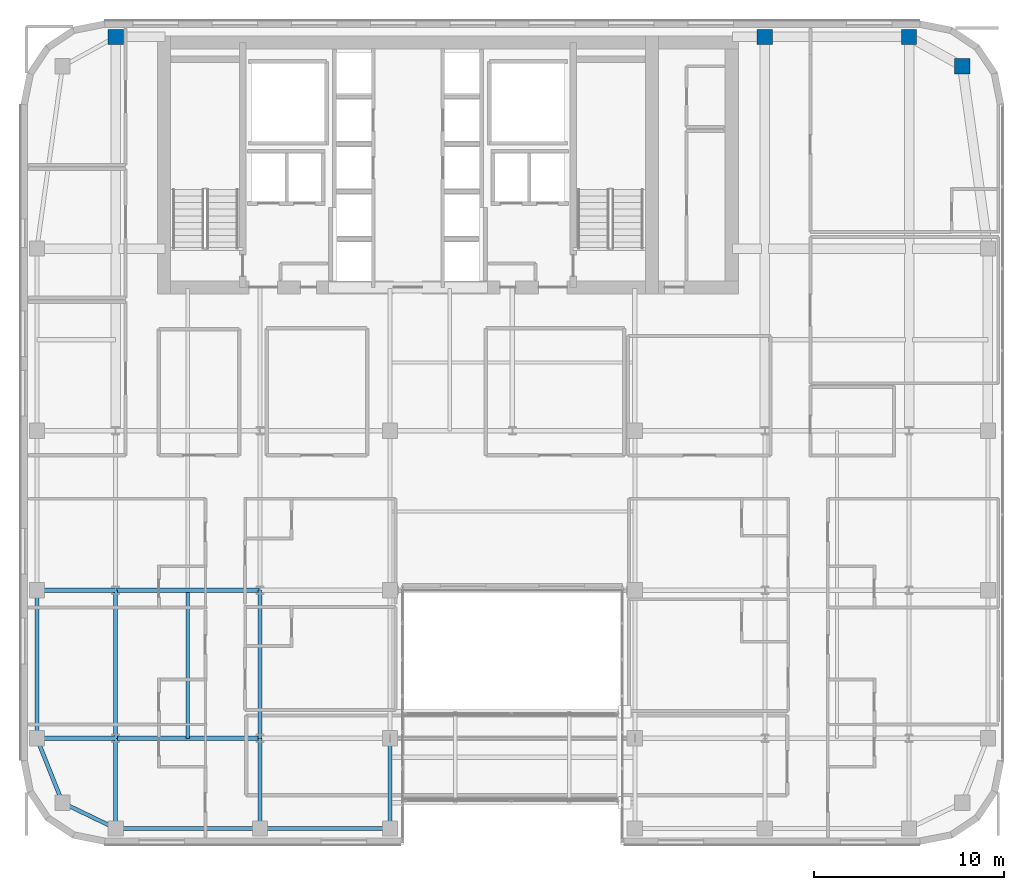
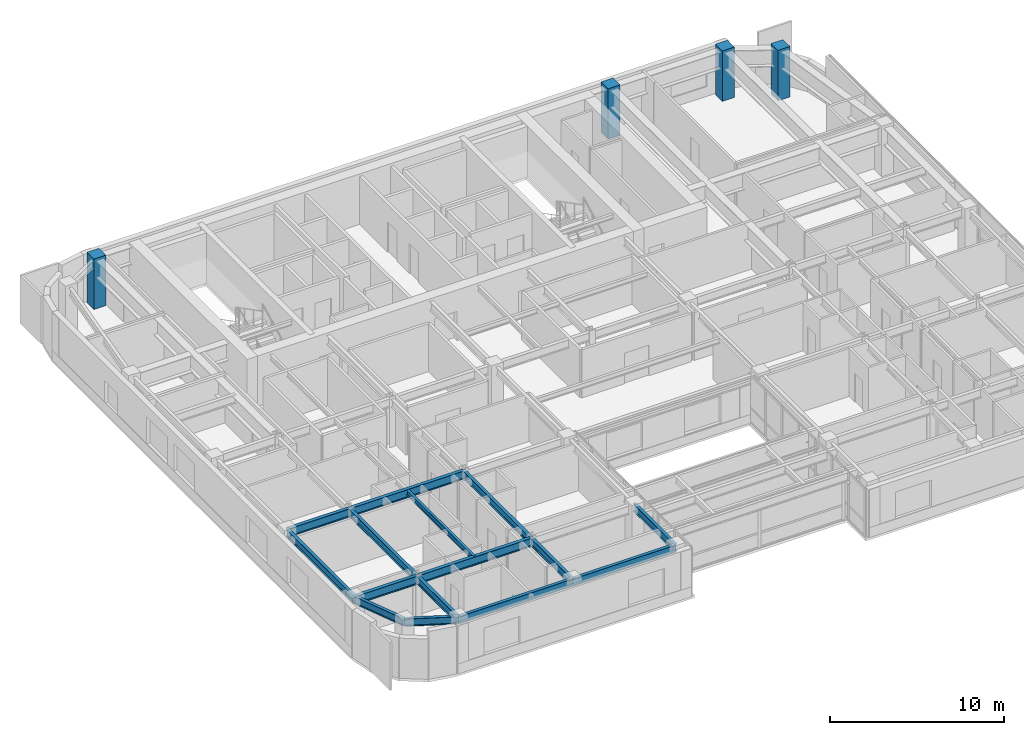
# One storey, part 2 of 26: 15 beams, 4 columns.
"""IFC4 building model written with IfcOpenShell, lengths in metres."""

from ifc_helpers import new_model, si_unit, direction, frame, origin, origin_2d, place, context, subcontext, project, spatial, rectangle, i_section, extrude, source, transform, mapped, material, material_profile, profile_set, type_object, type_shapes, element, save


model = new_model("IFC4")

# Units and contexts
model_context = context("Model", 3, precision=1e-05, world=origin(), true_north=direction((0.0, 1.0)))
body_context = subcontext(model_context, "Body", "Model", "MODEL_VIEW")
ifc_project = project(units=[si_unit("LENGTHUNIT", "METRE"), si_unit("AREAUNIT", "SQUARE_METRE"), si_unit("VOLUMEUNIT", "CUBIC_METRE"), si_unit("PLANEANGLEUNIT", "RADIAN"), si_unit("MASSUNIT", "GRAM", prefix="KILO")], contexts=[model_context])

# Site, building, storey
site_placement = place(None, origin())
site = spatial("IfcSite", under=ifc_project, at=site_placement, CompositionType="ELEMENT")
building_placement = place(site_placement, origin())
building = spatial("IfcBuilding", under=site, at=building_placement, Name="Tolvann Quenvar Hotel", CompositionType="ELEMENT")
storey_placement = place(building_placement, frame((0.0, 0.0, 168.35009765625)))
storey = spatial("IfcBuildingStorey", under=building, at=storey_placement, Name="L44", CompositionType="ELEMENT", Elevation=168.35009765625)

# Columns
ifc_material_1 = material(Name="Concrete N50 (50 MPa)", Category="concrete")
ifc_material_profile_1 = material_profile(ifc_material_1, rectangle(XDim=0.800048828125, YDim=0.800048828125, at=origin_2d()), Name="RC800x800")
ifc_profile_set_1 = profile_set([ifc_material_profile_1], Name="Concrete N50 (50 MPa)")
column_type = type_object("IfcColumnType", Name="COL_RC800", PredefinedType="COLUMN", material=ifc_profile_set_1)
shared_shape_1 = source(origin(), body_context, "Body", "SweptSolid", [
    extrude(rectangle(XDim=0.800048828125, YDim=0.800048828125, at=origin_2d()), origin(), (0.0, 0.0, 1.0), 3.5498046875),
])
type_shapes(column_type, [shared_shape_1])
for number, where, z_axis, x_axis, name in (
    (1, (7.60009765625, 45.14990234375, 0.0), (0.0, 0.0, 1.0), (1.0, 0.0, 0.0), "Column CN (L44)"),
    (2, (41.800048828125, 45.14990234375, 0.0), (0.0, 0.0, 1.0), (1.0, 0.0, 0.0), "Column HN (L44)"),
    (3, (49.39990234375, 45.14990234375, 0.0), (0.0, 0.0, 1.0), (1.0, 0.0, 0.0), "Column IN (L44)"),
    (4, (52.199951171875, 43.60009765625, 0.0), (0.0, 0.0, 1.0), (1.0, 0.0, 0.0), "Column JN (L44)"),
):
    element("IfcColumn", number, at=place(storey_placement, frame(where, z_axis=z_axis, x_axis=x_axis)), inside=storey, type_object=column_type, Name=name, PredefinedType="COLUMN", context=body_context, shape_type="MappedRepresentation", body=[
        mapped(shared_shape_1, transform((0.0, 0.0, 0.0), x_axis=(1.0, 0.0, 0.0), y_axis=(0.0, 1.0, 0.0), z_axis=(0.0, 0.0, 1.0), scale=1.0)),
    ])

# Beams
ifc_material_2 = material(Name="Steel Grade 350", Category="steel")
ifc_material_profile_2 = material_profile(ifc_material_2, i_section(OverallWidth=0.208984375, OverallDepth=0.528076171875, WebThickness=0.009521484375, FlangeThickness=0.01318359375, FilletRadius=0.013916015625, at=origin_2d()), Name="530UB82")
ifc_profile_set_2 = profile_set([ifc_material_profile_2], Name="Steel Grade 350")
beam_type_1 = type_object("IfcBeamType", Name="BM_SPAND_530UB82", PredefinedType="SPANDREL", material=ifc_profile_set_2)
shared_shape_2 = source(origin(), body_context, "Body", "SweptSolid", [
    extrude(i_section(OverallWidth=0.208984375, OverallDepth=0.528076171875, WebThickness=0.009521484375, FlangeThickness=0.01318359375, FilletRadius=0.013916015625, at=origin_2d()), origin(), (0.0, 0.0, 1.0), 7.599853515625),
])
beam_1_placement = place(storey_placement, frame((7.60009765625, 3.449951171875, 3.10595703125), z_axis=(1.0, 0.0, 0.0), x_axis=(0.0, 1.0, 0.0)))
element("IfcBeam", 5, at=beam_1_placement, inside=storey, type_object=beam_type_1, Name="BM-L44-EW-2-C2-D2", PredefinedType="SPANDREL", context=body_context, shape_type="MappedRepresentation", body=[
    mapped(shared_shape_2, transform((0.0, 0.0, 0.0), x_axis=(1.0, 0.0, 0.0), y_axis=(0.0, 1.0, 0.0), z_axis=(0.0, 0.0, 1.0), scale=1.0)),
])
shared_shape_3 = source(origin(), body_context, "Body", "SweptSolid", [
    extrude(i_section(OverallWidth=0.208984375, OverallDepth=0.528076171875, WebThickness=0.009521484375, FlangeThickness=0.01318359375, FilletRadius=0.013916015625, at=origin_2d()), origin(), (0.0, 0.0, 1.0), 6.85009765625),
])
beam_2_placement = place(storey_placement, frame((15.199951171875, 3.449951171875, 3.10595703125), z_axis=(1.0, 0.0, 0.0), x_axis=(0.0, 1.0, 0.0)))
element("IfcBeam", 6, at=beam_2_placement, inside=storey, type_object=beam_type_1, Name="BM-L44-EW-2-D2-E2", PredefinedType="SPANDREL", context=body_context, shape_type="MappedRepresentation", body=[
    mapped(shared_shape_3, transform((0.0, 0.0, 0.0), x_axis=(1.0, 0.0, 0.0), y_axis=(0.0, 1.0, 0.0), z_axis=(0.0, 0.0, 1.0), scale=1.0)),
])
shared_shape_4 = source(origin(), body_context, "Body", "SweptSolid", [
    extrude(i_section(OverallWidth=0.208984375, OverallDepth=0.528076171875, WebThickness=0.009521484375, FlangeThickness=0.01318359375, FilletRadius=0.013916015625, at=origin_2d()), origin(), (0.0, 0.0, 1.0), 7.800048828125),
])
beam_3_placement = place(storey_placement, frame((3.449951171875, 8.199951171875, 3.10595703125), z_axis=(0.0, 1.0, 0.0), x_axis=(-1.0, 0.0, 0.0)))
element("IfcBeam", 7, at=beam_3_placement, inside=storey, type_object=beam_type_1, Name="BM-L44-NS-B3-B4", PredefinedType="SPANDREL", context=body_context, shape_type="MappedRepresentation", body=[
    mapped(shared_shape_4, transform((0.0, 0.0, 0.0), x_axis=(1.0, 0.0, 0.0), y_axis=(0.0, 1.0, 0.0), z_axis=(0.0, 0.0, 1.0), scale=1.0)),
])
ifc_material_profile_3 = material_profile(ifc_material_2, i_section(OverallWidth=0.208984375, OverallDepth=0.532958984375, WebThickness=0.01025390625, FlangeThickness=0.015625, FilletRadius=0.013916015625, at=origin_2d()), Name="530UB92")
ifc_profile_set_3 = profile_set([ifc_material_profile_3], Name="Steel Grade 350")
beam_type_2 = type_object("IfcBeamType", Name="BM_GIRD_530UB92", PredefinedType="BEAM", material=ifc_profile_set_3)
shared_shape_5 = source(origin(), body_context, "Body", "SweptSolid", [
    extrude(i_section(OverallWidth=0.208984375, OverallDepth=0.532958984375, WebThickness=0.01025390625, FlangeThickness=0.015625, FilletRadius=0.013916015625, at=origin_2d()), origin(), (0.0, 0.0, 1.0), 7.800048828125),
])
for number, where, z_axis, x_axis, name in (
    (8, (7.60009765625, 8.199951171875, 3.103515625), (0.0, 1.0, 0.0), (-1.0, 0.0, 0.0), "BM-L44-NS-C3-C4"),
    (9, (15.199951171875, 8.199951171875, 3.103515625), (0.0, 1.0, 0.0), (-1.0, 0.0, 0.0), "BM-L44-NS-D3-D4"),
):
    element("IfcBeam", number, at=place(storey_placement, frame(where, z_axis=z_axis, x_axis=x_axis)), inside=storey, type_object=beam_type_2, Name=name, PredefinedType="BEAM", context=body_context, shape_type="MappedRepresentation", body=[
        mapped(shared_shape_5, transform((0.0, 0.0, 0.0), x_axis=(1.0, 0.0, 0.0), y_axis=(0.0, 1.0, 0.0), z_axis=(0.0, 0.0, 1.0), scale=1.0)),
    ])
shared_shape_6 = source(origin(), body_context, "Body", "SweptSolid", [
    extrude(i_section(OverallWidth=0.208984375, OverallDepth=0.528076171875, WebThickness=0.009521484375, FlangeThickness=0.01318359375, FilletRadius=0.013916015625, at=origin_2d()), origin(), (0.0, 0.0, 1.0), 3.108642578125),
])
beam_4_placement = place(storey_placement, frame((4.800048828125, 4.800048828125, 3.10595703125), z_axis=(0.900759354066, -0.434318530646, 0.0), x_axis=(0.434318530646, 0.900759354066, 0.0)))
element("IfcBeam", 10, at=beam_4_placement, inside=storey, type_object=beam_type_1, Name="BM-L44-EW-2-B2-C2", PredefinedType="SPANDREL", context=body_context, shape_type="MappedRepresentation", body=[
    mapped(shared_shape_6, transform((0.0, 0.0, 0.0), x_axis=(1.0, 0.0, 0.0), y_axis=(0.0, 1.0, 0.0), z_axis=(0.0, 0.0, 1.0), scale=1.0)),
])
ifc_material_profile_4 = material_profile(ifc_material_2, i_section(OverallWidth=0.22802734375, OverallDepth=0.60205078125, WebThickness=0.010498046875, FlangeThickness=0.014892578125, FilletRadius=0.013916015625, at=origin_2d()), Name="610UB101")
ifc_profile_set_4 = profile_set([ifc_material_profile_4], Name="Steel Grade 350")
beam_type_3 = type_object("IfcBeamType", Name="BM_GIRD_610UB101", PredefinedType="BEAM", material=ifc_profile_set_4)
shared_shape_7 = source(origin(), body_context, "Body", "SweptSolid", [
    extrude(i_section(OverallWidth=0.22802734375, OverallDepth=0.60205078125, WebThickness=0.010498046875, FlangeThickness=0.014892578125, FilletRadius=0.013916015625, at=origin_2d()), origin(), (0.0, 0.0, 1.0), 4.150146484375),
])
for number, where, z_axis, x_axis, name in (
    (11, (3.449951171875, 8.199951171875, 3.06884765625), (1.0, 0.0, 0.0), (0.0, 1.0, 0.0), "BM-L44-EW-3-B3-C3"),
    (12, (3.449951171875, 16.0, 3.06884765625), (1.0, 0.0, 0.0), (0.0, 1.0, 0.0), "BM-L44-EW-4-B4-C4"),
):
    element("IfcBeam", number, at=place(storey_placement, frame(where, z_axis=z_axis, x_axis=x_axis)), inside=storey, type_object=beam_type_3, Name=name, PredefinedType="BEAM", context=body_context, shape_type="MappedRepresentation", body=[
        mapped(shared_shape_7, transform((0.0, 0.0, 0.0), x_axis=(1.0, 0.0, 0.0), y_axis=(0.0, 1.0, 0.0), z_axis=(0.0, 0.0, 1.0), scale=1.0)),
    ])
shared_shape_8 = source(origin(), body_context, "Body", "SweptSolid", [
    extrude(i_section(OverallWidth=0.22802734375, OverallDepth=0.60205078125, WebThickness=0.010498046875, FlangeThickness=0.014892578125, FilletRadius=0.013916015625, at=origin_2d()), origin(), (0.0, 0.0, 1.0), 7.599853515625),
])
type_shapes(beam_type_3, [shared_shape_7, shared_shape_8])
for number, where, z_axis, x_axis, name in (
    (13, (7.60009765625, 8.199951171875, 3.06884765625), (1.0, 0.0, 0.0), (0.0, 1.0, 0.0), "BM-L44-EW-3-C3-D3"),
    (14, (7.60009765625, 16.0, 3.06884765625), (1.0, 0.0, 0.0), (0.0, 1.0, 0.0), "BM-L44-EW-4-C4-D4"),
):
    element("IfcBeam", number, at=place(storey_placement, frame(where, z_axis=z_axis, x_axis=x_axis)), inside=storey, type_object=beam_type_3, Name=name, PredefinedType="BEAM", context=body_context, shape_type="MappedRepresentation", body=[
        mapped(shared_shape_8, transform((0.0, 0.0, 0.0), x_axis=(1.0, 0.0, 0.0), y_axis=(0.0, 1.0, 0.0), z_axis=(0.0, 0.0, 1.0), scale=1.0)),
    ])
shared_shape_9 = source(origin(), body_context, "Body", "SweptSolid", [
    extrude(i_section(OverallWidth=0.208984375, OverallDepth=0.528076171875, WebThickness=0.009521484375, FlangeThickness=0.01318359375, FilletRadius=0.013916015625, at=origin_2d()), origin(), (0.0, 0.0, 1.0), 3.658203125),
])
type_shapes(beam_type_1, [shared_shape_2, shared_shape_3, shared_shape_4, shared_shape_6, shared_shape_9])
beam_5_placement = place(storey_placement, frame((4.800048828125, 4.800048828125, 3.10595703125), z_axis=(-0.369065163807, 0.929403521009, 0.0), x_axis=(-0.929403521009, -0.369065163807, 0.0)))
element("IfcBeam", 15, at=beam_5_placement, inside=storey, type_object=beam_type_1, Name="BM-L44-NS-B2-B3", PredefinedType="SPANDREL", context=body_context, shape_type="MappedRepresentation", body=[
    mapped(shared_shape_9, transform((0.0, 0.0, 0.0), x_axis=(1.0, 0.0, 0.0), y_axis=(0.0, 1.0, 0.0), z_axis=(0.0, 0.0, 1.0), scale=1.0)),
])
shared_shape_10 = source(origin(), body_context, "Body", "SweptSolid", [
    extrude(i_section(OverallWidth=0.208984375, OverallDepth=0.532958984375, WebThickness=0.01025390625, FlangeThickness=0.015625, FilletRadius=0.013916015625, at=origin_2d()), origin(), (0.0, 0.0, 1.0), 4.75),
])
type_shapes(beam_type_2, [shared_shape_5, shared_shape_10])
for number, where, z_axis, x_axis, name in (
    (16, (7.60009765625, 3.449951171875, 3.103515625), (0.0, 1.0, 0.0), (-1.0, 0.0, 0.0), "BM-L44-NS-C2-C3"),
    (17, (15.199951171875, 3.449951171875, 3.103515625), (0.0, 1.0, 0.0), (-1.0, 0.0, 0.0), "BM-L44-NS-D2-D3"),
    (18, (22.050048828125, 3.449951171875, 3.103515625), (0.0, 1.0, 0.0), (-1.0, 0.0, 0.0), "BM-L44-NS-E2-E3"),
):
    element("IfcBeam", number, at=place(storey_placement, frame(where, z_axis=z_axis, x_axis=x_axis)), inside=storey, type_object=beam_type_2, Name=name, PredefinedType="BEAM", context=body_context, shape_type="MappedRepresentation", body=[
        mapped(shared_shape_10, transform((0.0, 0.0, 0.0), x_axis=(1.0, 0.0, 0.0), y_axis=(0.0, 1.0, 0.0), z_axis=(0.0, 0.0, 1.0), scale=1.0)),
    ])
ifc_material_profile_5 = material_profile(ifc_material_2, i_section(OverallWidth=0.172119140625, OverallDepth=0.35888671875, WebThickness=0.008056640625, FlangeThickness=0.012939453125, FilletRadius=0.011474609375, at=origin_2d()), Name="360UB57")
ifc_profile_set_5 = profile_set([ifc_material_profile_5], Name="Steel Grade 350")
beam_type_4 = type_object("IfcBeamType", Name="BM_JOIST_360UB57", PredefinedType="JOIST", material=ifc_profile_set_5)
shared_shape_11 = source(origin(), body_context, "Body", "SweptSolid", [
    extrude(i_section(OverallWidth=0.172119140625, OverallDepth=0.35888671875, WebThickness=0.008056640625, FlangeThickness=0.012939453125, FilletRadius=0.011474609375, at=origin_2d()), origin(), (0.0, 0.0, 1.0), 7.692138671875),
])
type_shapes(beam_type_4, [shared_shape_11])
beam_6_placement = place(storey_placement, frame((11.39990234375, 8.199951171875, 3.1904296875), z_axis=(0.0, 1.0, 0.0), x_axis=(-1.0, 0.0, 0.0)))
element("IfcBeam", 19, at=beam_6_placement, inside=storey, type_object=beam_type_4, Name="BJ-L44-114-82", PredefinedType="JOIST", context=body_context, shape_type="MappedRepresentation", body=[
    mapped(shared_shape_11, transform((0.0, 0.0, 0.0), x_axis=(1.0, 0.0, 0.0), y_axis=(0.0, 1.0, 0.0), z_axis=(0.0, 0.0, 1.0), scale=1.0)),
])

save(model, "model.ifc")
